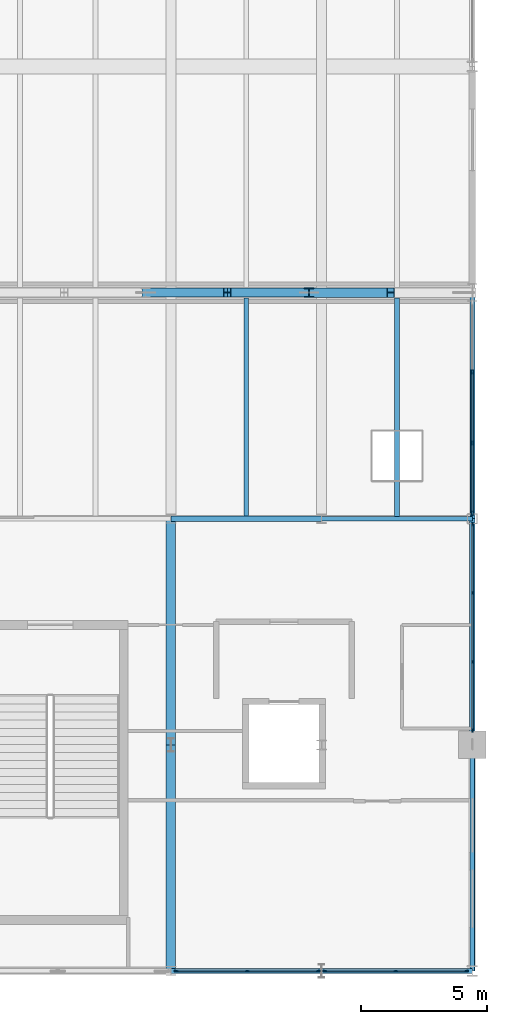
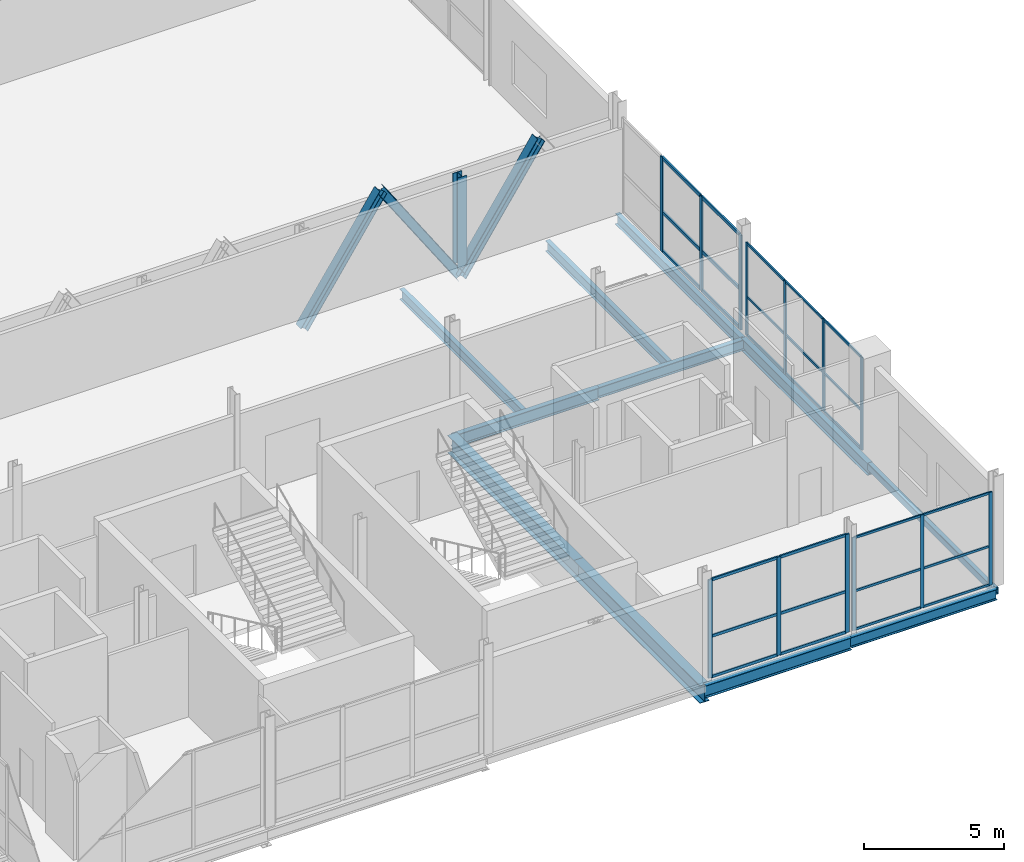
# One storey, part 139 of 224: 44 members, 11 beams, 4 elements without a shape of their own.
"""IFC4 building model written with IfcOpenShell, lengths in metres."""

from ifc_helpers import new_model, si_unit, direction, frame, origin, origin_2d, place, context, subcontext, project, spatial, rectangle, hollow_rectangle, i_section, extrude, material, layer, layer_set, material_profile, profile_set, type_object, element, aggregate, save


model = new_model("IFC4")

# Units and contexts
model_context = context("Model", 3, precision=1e-05, world=origin(), true_north=direction((0.0, 1.0)))
body_context = subcontext(model_context, "Body", "Model", "MODEL_VIEW")
ifc_project = project(units=[si_unit("LENGTHUNIT", "METRE"), si_unit("AREAUNIT", "SQUARE_METRE"), si_unit("VOLUMEUNIT", "CUBIC_METRE"), si_unit("PLANEANGLEUNIT", "RADIAN"), si_unit("MASSUNIT", "GRAM", prefix="KILO")], contexts=[model_context])

# Site, building, storey
site_placement = place(None, origin())
site = spatial("IfcSite", under=ifc_project, at=site_placement, CompositionType="ELEMENT")
building_placement = place(site_placement, origin())
building = spatial("IfcBuilding", under=site, at=building_placement, Name="Qamarlyn Nura Convention Centre", CompositionType="ELEMENT")
storey_placement = place(building_placement, frame((0.0, 0.0, 10.800048828125)))
storey = spatial("IfcBuildingStorey", under=building, at=storey_placement, Name="L02", CompositionType="ELEMENT", Elevation=10.800048828125)

# Beams
ifc_material_1 = material(Name="Steel ASTM A992", Category="steel")
ifc_material_profile_1 = material_profile(ifc_material_1, i_section(OverallWidth=0.381103515625, OverallDepth=0.77294921875, WebThickness=0.0166015625, FlangeThickness=0.027587890625, FilletRadius=0.02001953125, at=origin_2d()), Name="W760X257")
ifc_profile_set_1 = profile_set([ifc_material_profile_1], Name="Steel ASTM A992")
beam_type_1 = type_object("IfcBeamType", Name="BM-GIRD-760", PredefinedType="BEAM", material=ifc_profile_set_1)
for number, where, z_axis, x_axis, name in (
    (1, (180.0, 0.0, -0.6064453125), (0.0, 1.0, 0.0), (-1.0, 0.0, 0.0), "L02 girder 16 A-B"),
    (2, (180.0, 9.0, -0.6064453125), (0.0, 1.0, 0.0), (-1.0, 0.0, 0.0), "L02 girder 16 B-C"),
):
    element("IfcBeam", number, at=place(storey_placement, frame(where, z_axis=z_axis, x_axis=x_axis)), inside=storey, type_object=beam_type_1, Name=name, PredefinedType="BEAM", context=body_context, shape_type="SweptSolid", body=[
        extrude(i_section(OverallWidth=0.381103515625, OverallDepth=0.77294921875, WebThickness=0.0166015625, FlangeThickness=0.027587890625, FilletRadius=0.02001953125, at=origin_2d()), origin(), (0.0, 0.0, 1.0), 9.0),
    ])
ifc_material_profile_2 = material_profile(ifc_material_1, i_section(OverallWidth=0.18994140625, OverallDepth=0.45703125, WebThickness=0.009033203125, FlangeThickness=0.014404296875, FilletRadius=0.012939453125, at=origin_2d()), Name="W460X74")
ifc_profile_set_2 = profile_set([ifc_material_profile_2], Name="Steel ASTM A992")
beam_type_2 = type_object("IfcBeamType", Name="BM-JOIST-460", PredefinedType="JOIST", material=ifc_profile_set_2)
beam_1_placement = place(storey_placement, frame((183.0, 18.10546875, -0.488525390625), z_axis=(0.0, 1.0, 0.0), x_axis=(-1.0, 0.0, 0.0)))
element("IfcBeam", 3, at=beam_1_placement, inside=storey, type_object=beam_type_2, Name="L02 secondary joist 16-17/C-D-33", PredefinedType="JOIST", context=body_context, shape_type="SweptSolid", body=[
    extrude(i_section(OverallWidth=0.18994140625, OverallDepth=0.45703125, WebThickness=0.009033203125, FlangeThickness=0.014404296875, FilletRadius=0.012939453125, at=origin_2d()), origin(), (0.0, 0.0, 1.0), 8.685546875),
])
beam_2_placement = place(storey_placement, frame((189.0, 18.096435546875, -0.488525390625), z_axis=(0.0, 1.0, 0.0), x_axis=(-1.0, 0.0, 0.0)))
element("IfcBeam", 4, at=beam_2_placement, inside=storey, type_object=beam_type_2, Name="L02 secondary joist 17-18/C-D-37", PredefinedType="JOIST", context=body_context, shape_type="SweptSolid", body=[
    extrude(i_section(OverallWidth=0.18994140625, OverallDepth=0.45703125, WebThickness=0.009033203125, FlangeThickness=0.014404296875, FilletRadius=0.012939453125, at=origin_2d()), origin(), (0.0, 0.0, 1.0), 8.694580078125),
])
ifc_material_profile_3 = material_profile(ifc_material_1, i_section(OverallWidth=0.193115234375, OverallDepth=0.466064453125, WebThickness=0.011474609375, FlangeThickness=0.01904296875, FilletRadius=0.012939453125, at=origin_2d()), Name="W460X97")
ifc_profile_set_3 = profile_set([ifc_material_profile_3], Name="Steel ASTM A992")
beam_type_3 = type_object("IfcBeamType", Name="BM-SPAN-460", PredefinedType="SPANDREL", material=ifc_profile_set_3)
for number, where, z_axis, x_axis, name in (
    (5, (186.0, 0.0, -0.453125), (1.0, 0.0, 0.0), (0.0, 1.0, 0.0), "L02 girder A 17-18"),
    (6, (186.0, 18.0, -0.4931640625), (1.0, 0.0, 0.0), (0.0, 1.0, 0.0), "L02 girder C 17-18"),
):
    element("IfcBeam", number, at=place(storey_placement, frame(where, z_axis=z_axis, x_axis=x_axis)), inside=storey, type_object=beam_type_3, Name=name, PredefinedType="SPANDREL", context=body_context, shape_type="SweptSolid", body=[
        extrude(i_section(OverallWidth=0.193115234375, OverallDepth=0.466064453125, WebThickness=0.011474609375, FlangeThickness=0.01904296875, FilletRadius=0.012939453125, at=origin_2d()), origin(), (0.0, 0.0, 1.0), 6.0),
    ])
beam_3_placement = place(storey_placement, frame((192.0, 18.0, -0.4931640625), z_axis=(0.0, 1.0, 0.0), x_axis=(-1.0, 0.0, 0.0)))
element("IfcBeam", 7, at=beam_3_placement, inside=storey, type_object=beam_type_3, Name="L02 girder 18 C-D", PredefinedType="SPANDREL", context=body_context, shape_type="SweptSolid", body=[
    extrude(i_section(OverallWidth=0.193115234375, OverallDepth=0.466064453125, WebThickness=0.011474609375, FlangeThickness=0.01904296875, FilletRadius=0.012939453125, at=origin_2d()), origin(), (0.0, 0.0, 1.0), 9.0),
])
ifc_material_profile_4 = material_profile(ifc_material_1, i_section(OverallWidth=0.2109375, OverallDepth=0.5390625, WebThickness=0.01171875, FlangeThickness=0.018798828125, FilletRadius=0.013916015625, at=origin_2d()), Name="W530X109")
ifc_profile_set_4 = profile_set([ifc_material_profile_4], Name="Steel ASTM A992")
beam_type_4 = type_object("IfcBeamType", Name="BM-SPAN-530", PredefinedType="SPANDREL", material=ifc_profile_set_4)
for number, where, z_axis, x_axis, name in (
    (8, (180.0, 0.0, -0.489501953125), (1.0, 0.0, 0.0), (0.0, 1.0, 0.0), "L02 girder A 16-17"),
    (9, (180.0, 18.0, -0.529541015625), (1.0, 0.0, 0.0), (0.0, 1.0, 0.0), "L02 girder C 16-17"),
):
    element("IfcBeam", number, at=place(storey_placement, frame(where, z_axis=z_axis, x_axis=x_axis)), inside=storey, type_object=beam_type_4, Name=name, PredefinedType="SPANDREL", context=body_context, shape_type="SweptSolid", body=[
        extrude(i_section(OverallWidth=0.2109375, OverallDepth=0.5390625, WebThickness=0.01171875, FlangeThickness=0.018798828125, FilletRadius=0.013916015625, at=origin_2d()), origin(), (0.0, 0.0, 1.0), 6.0),
    ])
beam_4_placement = place(storey_placement, frame((192.0, 9.0, -0.489501953125), z_axis=(0.0, 1.0, 0.0), x_axis=(-1.0, 0.0, 0.0)))
element("IfcBeam", 10, at=beam_4_placement, inside=storey, type_object=beam_type_4, Name="L02 girder 18 B-C", PredefinedType="SPANDREL", context=body_context, shape_type="SweptSolid", body=[
    extrude(i_section(OverallWidth=0.2109375, OverallDepth=0.5390625, WebThickness=0.01171875, FlangeThickness=0.018798828125, FilletRadius=0.013916015625, at=origin_2d()), origin(), (0.0, 0.0, 1.0), 9.0),
])
ifc_material_2 = material(Name="Steel ASTM A500 Grade C", Category="steel")
ifc_material_profile_5 = material_profile(ifc_material_2, hollow_rectangle(XDim=0.199951171875, YDim=0.300048828125, WallThickness=0.012451171875, InnerFilletRadius=0.012451171875, OuterFilletRadius=0.02490234375, at=origin_2d()), Name="HSS300X200X12.5")
ifc_profile_set_5 = profile_set([ifc_material_profile_5], Name="Steel ASTM A500 Grade C")
beam_type_5 = type_object("IfcBeamType", Name="BM-SPAN-HSS", PredefinedType="SPANDREL", material=ifc_profile_set_5)
beam_5_placement = place(storey_placement, frame((192.0, 0.0, -0.3701171875), z_axis=(0.0, 1.0, 0.0), x_axis=(-1.0, 0.0, 0.0)))
element("IfcBeam", 11, at=beam_5_placement, inside=storey, type_object=beam_type_5, Name="L02 girder 18 A-B", PredefinedType="SPANDREL", context=body_context, shape_type="SweptSolid", body=[
    extrude(hollow_rectangle(XDim=0.199951171875, YDim=0.300048828125, WallThickness=0.012451171875, InnerFilletRadius=0.012451171875, OuterFilletRadius=0.02490234375, at=origin_2d()), origin(), (0.0, 0.0, 1.0), 9.0),
])

# Curtain wall, members
ifc_material_3 = material(Name="Double-silver low-E insulated glass", Category="glass")
ifc_layer_1 = layer(ifc_material_3, 0.179931640625, Name="CW-UNIT-92")
ifc_layer_set_1 = layer_set([ifc_layer_1], Name="Double-silver low-E insulated glass")
curtain_wall_type_1 = type_object("IfcCurtainWallType", Name="CW-UNIT-92", PredefinedType="NOTDEFINED", material=ifc_layer_set_1)
curtain_wall_1_placement = place(storey_placement, origin())
curtain_wall_1 = element("IfcCurtainWall", 12, at=curtain_wall_1_placement, inside=storey, type_object=curtain_wall_type_1, Name="L02 unitised curtain wall EAST-2-1", PredefinedType="NOTDEFINED")
ifc_material_4 = material(Name="Champagne-anodised marine aluminium", Category="aluminium")
ifc_material_profile_6 = material_profile(ifc_material_4, rectangle(XDim=0.06005859375, YDim=0.139892578125, at=origin_2d()), Name="ALU MULLION 60x140")
ifc_profile_set_6 = profile_set([ifc_material_profile_6], Name="Champagne-anodised marine aluminium")
member_type_1 = type_object("IfcMemberType", Name="CWM-140", PredefinedType="MULLION", material=ifc_profile_set_6)
member_1_placement = place(storey_placement, frame((192.0, 17.77001953125, 0.0), z_axis=(0.0, 0.0, 1.0), x_axis=(1.0, 0.0, 0.0)))
member_1 = element("IfcMember", 13, at=member_1_placement, type_object=member_type_1, Name="CW92 mullion 1", PredefinedType="MULLION", context=body_context, shape_type="SweptSolid", body=[
    extrude(rectangle(XDim=0.06005859375, YDim=0.139892578125, at=origin_2d()), origin(), (0.0, 0.0, 1.0), 4.0458984375),
])
member_2_placement = place(storey_placement, frame((192.0, 15.050048828125, 0.0), z_axis=(0.0, 0.0, 1.0), x_axis=(1.0, 0.0, 0.0)))
member_2 = element("IfcMember", 14, at=member_2_placement, type_object=member_type_1, Name="CW92 mullion 2", PredefinedType="MULLION", context=body_context, shape_type="SweptSolid", body=[
    extrude(rectangle(XDim=0.06005859375, YDim=0.139892578125, at=origin_2d()), origin(), (0.0, 0.0, 1.0), 4.0458984375),
])
member_3_placement = place(storey_placement, frame((192.0, 12.300048828125, 0.0), z_axis=(0.0, 0.0, 1.0), x_axis=(1.0, 0.0, 0.0)))
member_3 = element("IfcMember", 15, at=member_3_placement, type_object=member_type_1, Name="CW92 mullion 3", PredefinedType="MULLION", context=body_context, shape_type="SweptSolid", body=[
    extrude(rectangle(XDim=0.06005859375, YDim=0.139892578125, at=origin_2d()), origin(), (0.0, 0.0, 1.0), 4.0458984375),
])
member_4_placement = place(storey_placement, frame((192.0, 9.580078125, 0.0), z_axis=(0.0, 0.0, 1.0), x_axis=(1.0, 0.0, 0.0)))
member_4 = element("IfcMember", 16, at=member_4_placement, type_object=member_type_1, Name="CW92 mullion 4", PredefinedType="MULLION", context=body_context, shape_type="SweptSolid", body=[
    extrude(rectangle(XDim=0.06005859375, YDim=0.139892578125, at=origin_2d()), origin(), (0.0, 0.0, 1.0), 4.0458984375),
])

ifc_layer_2 = layer(ifc_material_3, 0.179931640625, Name="CW-UNIT-99")
ifc_layer_set_2 = layer_set([ifc_layer_2], Name="Double-silver low-E insulated glass")
curtain_wall_type_2 = type_object("IfcCurtainWallType", Name="CW-UNIT-99", PredefinedType="NOTDEFINED", material=ifc_layer_set_2)
curtain_wall_2_placement = place(storey_placement, origin())
curtain_wall_2 = element("IfcCurtainWall", 17, at=curtain_wall_2_placement, inside=storey, type_object=curtain_wall_type_2, Name="L02 unitised curtain wall STH-5-1", PredefinedType="NOTDEFINED")
member_5_placement = place(storey_placement, frame((191.765380859375, 0.0, 0.0), z_axis=(0.0, 0.0, 1.0), x_axis=(0.0, -1.0, 0.0)))
member_5 = element("IfcMember", 18, at=member_5_placement, type_object=member_type_1, Name="CW99 mullion 1", PredefinedType="MULLION", context=body_context, shape_type="SweptSolid", body=[
    extrude(rectangle(XDim=0.06005859375, YDim=0.139892578125, at=origin_2d()), origin(), (0.0, 0.0, 1.0), 4.0458984375),
])
member_6_placement = place(storey_placement, frame((188.950439453125, 0.0, 0.0), z_axis=(0.0, 0.0, 1.0), x_axis=(0.0, -1.0, 0.0)))
member_6 = element("IfcMember", 19, at=member_6_placement, type_object=member_type_1, Name="CW99 mullion 2", PredefinedType="MULLION", context=body_context, shape_type="SweptSolid", body=[
    extrude(rectangle(XDim=0.06005859375, YDim=0.139892578125, at=origin_2d()), origin(), (0.0, 0.0, 1.0), 4.0458984375),
])
member_7_placement = place(storey_placement, frame((186.135498046875, 0.0, 0.0), z_axis=(0.0, 0.0, 1.0), x_axis=(0.0, -1.0, 0.0)))
member_7 = element("IfcMember", 20, at=member_7_placement, type_object=member_type_1, Name="CW99 mullion 3", PredefinedType="MULLION", context=body_context, shape_type="SweptSolid", body=[
    extrude(rectangle(XDim=0.06005859375, YDim=0.139892578125, at=origin_2d()), origin(), (0.0, 0.0, 1.0), 4.0458984375),
])

ifc_layer_3 = layer(ifc_material_3, 0.179931640625, Name="CW-UNIT-98")
ifc_layer_set_3 = layer_set([ifc_layer_3], Name="Double-silver low-E insulated glass")
curtain_wall_type_3 = type_object("IfcCurtainWallType", Name="CW-UNIT-98", PredefinedType="NOTDEFINED", material=ifc_layer_set_3)
curtain_wall_3_placement = place(storey_placement, origin())
curtain_wall_3 = element("IfcCurtainWall", 21, at=curtain_wall_3_placement, inside=storey, type_object=curtain_wall_type_3, Name="L02 unitised curtain wall STH-4-1", PredefinedType="NOTDEFINED")
ifc_material_profile_7 = material_profile(ifc_material_4, rectangle(XDim=0.06494140625, YDim=0.159912109375, at=origin_2d()), Name="ALU MULLION 65x160")
ifc_profile_set_7 = profile_set([ifc_material_profile_7], Name="Champagne-anodised marine aluminium")
member_type_2 = type_object("IfcMemberType", Name="CWM-160", PredefinedType="MULLION", material=ifc_profile_set_7)
member_8_placement = place(storey_placement, frame((185.862060546875, 0.0, 0.0), z_axis=(0.0, 0.0, 1.0), x_axis=(0.0, -1.0, 0.0)))
member_8 = element("IfcMember", 22, at=member_8_placement, type_object=member_type_2, Name="CW98 mullion 1", PredefinedType="MULLION", context=body_context, shape_type="SweptSolid", body=[
    extrude(rectangle(XDim=0.06494140625, YDim=0.159912109375, at=origin_2d()), origin(), (0.0, 0.0, 1.0), 4.284912109375),
])
member_9_placement = place(storey_placement, frame((183.03955078125, 0.0, 0.0), z_axis=(0.0, 0.0, 1.0), x_axis=(0.0, -1.0, 0.0)))
member_9 = element("IfcMember", 23, at=member_9_placement, type_object=member_type_2, Name="CW98 mullion 2", PredefinedType="MULLION", context=body_context, shape_type="SweptSolid", body=[
    extrude(rectangle(XDim=0.06494140625, YDim=0.159912109375, at=origin_2d()), origin(), (0.0, 0.0, 1.0), 4.284912109375),
])
member_10_placement = place(storey_placement, frame((180.217041015625, 0.0, 0.0), z_axis=(0.0, 0.0, 1.0), x_axis=(0.0, -1.0, 0.0)))
member_10 = element("IfcMember", 24, at=member_10_placement, type_object=member_type_2, Name="CW98 mullion 3", PredefinedType="MULLION", context=body_context, shape_type="SweptSolid", body=[
    extrude(rectangle(XDim=0.06494140625, YDim=0.159912109375, at=origin_2d()), origin(), (0.0, 0.0, 1.0), 4.284912109375),
])

ifc_layer_4 = layer(ifc_material_3, 0.179931640625, Name="CW-UNIT-93")
ifc_layer_set_4 = layer_set([ifc_layer_4], Name="Double-silver low-E insulated glass")
curtain_wall_type_4 = type_object("IfcCurtainWallType", Name="CW-UNIT-93", PredefinedType="NOTDEFINED", material=ifc_layer_set_4)
curtain_wall_4_placement = place(storey_placement, origin())
curtain_wall_4 = element("IfcCurtainWall", 25, at=curtain_wall_4_placement, inside=storey, type_object=curtain_wall_type_4, Name="L02 unitised curtain wall EAST-3-1", PredefinedType="NOTDEFINED")
ifc_material_profile_8 = material_profile(ifc_material_4, rectangle(XDim=0.070068359375, YDim=0.179931640625, at=origin_2d()), Name="ALU MULLION 70x180")
ifc_profile_set_8 = profile_set([ifc_material_profile_8], Name="Champagne-anodised marine aluminium")
member_type_3 = type_object("IfcMemberType", Name="CWM-180", PredefinedType="MULLION", material=ifc_profile_set_8)
member_11_placement = place(storey_placement, frame((192.0, 23.8349609375, 0.0), z_axis=(0.0, 0.0, 1.0), x_axis=(1.0, 0.0, 0.0)))
member_11 = element("IfcMember", 26, at=member_11_placement, type_object=member_type_3, Name="CW93 mullion 2", PredefinedType="MULLION", context=body_context, shape_type="SweptSolid", body=[
    extrude(rectangle(XDim=0.070068359375, YDim=0.179931640625, at=origin_2d()), origin(), (0.0, 0.0, 1.0), 4.118896484375),
])
member_12_placement = place(storey_placement, frame((192.0, 21.017578125, 0.0), z_axis=(0.0, 0.0, 1.0), x_axis=(1.0, 0.0, 0.0)))
member_12 = element("IfcMember", 27, at=member_12_placement, type_object=member_type_3, Name="CW93 mullion 3", PredefinedType="MULLION", context=body_context, shape_type="SweptSolid", body=[
    extrude(rectangle(XDim=0.070068359375, YDim=0.179931640625, at=origin_2d()), origin(), (0.0, 0.0, 1.0), 4.118896484375),
])
member_13_placement = place(storey_placement, frame((192.0, 18.235107421875, 0.0), z_axis=(0.0, 0.0, 1.0), x_axis=(1.0, 0.0, 0.0)))
member_13 = element("IfcMember", 28, at=member_13_placement, type_object=member_type_3, Name="CW93 mullion 4", PredefinedType="MULLION", context=body_context, shape_type="SweptSolid", body=[
    extrude(rectangle(XDim=0.070068359375, YDim=0.179931640625, at=origin_2d()), origin(), (0.0, 0.0, 1.0), 4.118896484375),
])

# Member
ifc_material_profile_9 = material_profile(ifc_material_4, rectangle(XDim=0.06005859375, YDim=0.10009765625, at=origin_2d()), Name="ALU TRANSOM 60x100")
ifc_profile_set_9 = profile_set([ifc_material_profile_9], Name="Champagne-anodised marine aluminium")
member_type_4 = type_object("IfcMemberType", Name="CWT-100", PredefinedType="USERDEFINED", material=ifc_profile_set_9)
member_14_placement = place(storey_placement, frame((192.0, 17.739990234375, 0.030029296875), z_axis=(0.0, -1.0, 0.0), x_axis=(1.0, 0.0, 0.0)))
member_14 = element("IfcMember", 29, at=member_14_placement, type_object=member_type_4, Name="CW92 transom 1.1", ObjectType="TRANSOM", PredefinedType="USERDEFINED", context=body_context, shape_type="SweptSolid", body=[
    extrude(rectangle(XDim=0.06005859375, YDim=0.10009765625, at=origin_2d()), origin(), (0.0, 0.0, 1.0), 2.659912109375),
])

member_15_placement = place(storey_placement, frame((192.0, 17.739990234375, 1.698974609375), z_axis=(0.0, -1.0, 0.0), x_axis=(1.0, 0.0, 0.0)))
member_15 = element("IfcMember", 30, at=member_15_placement, type_object=member_type_4, Name="CW92 transom 1.2", ObjectType="TRANSOM", PredefinedType="USERDEFINED", context=body_context, shape_type="SweptSolid", body=[
    extrude(rectangle(XDim=0.06005859375, YDim=0.10009765625, at=origin_2d()), origin(), (0.0, 0.0, 1.0), 2.659912109375),
])

member_16_placement = place(storey_placement, frame((192.0, 17.739990234375, 4.015869140625), z_axis=(0.0, -1.0, 0.0), x_axis=(1.0, 0.0, 0.0)))
member_16 = element("IfcMember", 31, at=member_16_placement, type_object=member_type_4, Name="CW92 transom 1.3", ObjectType="TRANSOM", PredefinedType="USERDEFINED", context=body_context, shape_type="SweptSolid", body=[
    extrude(rectangle(XDim=0.06005859375, YDim=0.10009765625, at=origin_2d()), origin(), (0.0, 0.0, 1.0), 2.659912109375),
])

member_17_placement = place(storey_placement, frame((192.0, 15.02001953125, 0.030029296875), z_axis=(0.0, -1.0, 0.0), x_axis=(1.0, 0.0, 0.0)))
member_17 = element("IfcMember", 32, at=member_17_placement, type_object=member_type_4, Name="CW92 transom 2.1", ObjectType="TRANSOM", PredefinedType="USERDEFINED", context=body_context, shape_type="SweptSolid", body=[
    extrude(rectangle(XDim=0.06005859375, YDim=0.10009765625, at=origin_2d()), origin(), (0.0, 0.0, 1.0), 2.68994140625),
])

member_18_placement = place(storey_placement, frame((192.0, 15.02001953125, 1.698974609375), z_axis=(0.0, -1.0, 0.0), x_axis=(1.0, 0.0, 0.0)))
member_18 = element("IfcMember", 33, at=member_18_placement, type_object=member_type_4, Name="CW92 transom 2.2", ObjectType="TRANSOM", PredefinedType="USERDEFINED", context=body_context, shape_type="SweptSolid", body=[
    extrude(rectangle(XDim=0.06005859375, YDim=0.10009765625, at=origin_2d()), origin(), (0.0, 0.0, 1.0), 2.68994140625),
])

member_19_placement = place(storey_placement, frame((192.0, 15.02001953125, 4.015869140625), z_axis=(0.0, -1.0, 0.0), x_axis=(1.0, 0.0, 0.0)))
member_19 = element("IfcMember", 34, at=member_19_placement, type_object=member_type_4, Name="CW92 transom 2.3", ObjectType="TRANSOM", PredefinedType="USERDEFINED", context=body_context, shape_type="SweptSolid", body=[
    extrude(rectangle(XDim=0.06005859375, YDim=0.10009765625, at=origin_2d()), origin(), (0.0, 0.0, 1.0), 2.68994140625),
])

member_20_placement = place(storey_placement, frame((192.0, 12.27001953125, 0.030029296875), z_axis=(0.0, -1.0, 0.0), x_axis=(1.0, 0.0, 0.0)))
member_20 = element("IfcMember", 35, at=member_20_placement, type_object=member_type_4, Name="CW92 transom 3.1", ObjectType="TRANSOM", PredefinedType="USERDEFINED", context=body_context, shape_type="SweptSolid", body=[
    extrude(rectangle(XDim=0.06005859375, YDim=0.10009765625, at=origin_2d()), origin(), (0.0, 0.0, 1.0), 2.659912109375),
])

member_21_placement = place(storey_placement, frame((192.0, 12.27001953125, 1.698974609375), z_axis=(0.0, -1.0, 0.0), x_axis=(1.0, 0.0, 0.0)))
member_21 = element("IfcMember", 36, at=member_21_placement, type_object=member_type_4, Name="CW92 transom 3.2", ObjectType="TRANSOM", PredefinedType="USERDEFINED", context=body_context, shape_type="SweptSolid", body=[
    extrude(rectangle(XDim=0.06005859375, YDim=0.10009765625, at=origin_2d()), origin(), (0.0, 0.0, 1.0), 2.659912109375),
])

member_22_placement = place(storey_placement, frame((192.0, 12.27001953125, 4.015869140625), z_axis=(0.0, -1.0, 0.0), x_axis=(1.0, 0.0, 0.0)))
member_22 = element("IfcMember", 37, at=member_22_placement, type_object=member_type_4, Name="CW92 transom 3.3", ObjectType="TRANSOM", PredefinedType="USERDEFINED", context=body_context, shape_type="SweptSolid", body=[
    extrude(rectangle(XDim=0.06005859375, YDim=0.10009765625, at=origin_2d()), origin(), (0.0, 0.0, 1.0), 2.659912109375),
])

aggregate(curtain_wall_1, [member_1, member_2, member_3, member_4, member_14, member_15, member_16, member_17, member_18, member_19, member_20, member_21, member_22])

member_23_placement = place(storey_placement, frame((191.735595703125, 0.0, 0.030029296875), z_axis=(-1.0, 0.0, 0.0), x_axis=(0.0, -1.0, 0.0)))
member_23 = element("IfcMember", 38, at=member_23_placement, type_object=member_type_4, Name="CW99 transom 1.1", ObjectType="TRANSOM", PredefinedType="USERDEFINED", context=body_context, shape_type="SweptSolid", body=[
    extrude(rectangle(XDim=0.06005859375, YDim=0.10009765625, at=origin_2d()), origin(), (0.0, 0.0, 1.0), 2.755126953125),
])

member_24_placement = place(storey_placement, frame((191.735595703125, 0.0, 1.698974609375), z_axis=(-1.0, 0.0, 0.0), x_axis=(0.0, -1.0, 0.0)))
member_24 = element("IfcMember", 39, at=member_24_placement, type_object=member_type_4, Name="CW99 transom 1.2", ObjectType="TRANSOM", PredefinedType="USERDEFINED", context=body_context, shape_type="SweptSolid", body=[
    extrude(rectangle(XDim=0.06005859375, YDim=0.10009765625, at=origin_2d()), origin(), (0.0, 0.0, 1.0), 2.755126953125),
])

member_25_placement = place(storey_placement, frame((191.735595703125, 0.0, 4.015869140625), z_axis=(-1.0, 0.0, 0.0), x_axis=(0.0, -1.0, 0.0)))
member_25 = element("IfcMember", 40, at=member_25_placement, type_object=member_type_4, Name="CW99 transom 1.3", ObjectType="TRANSOM", PredefinedType="USERDEFINED", context=body_context, shape_type="SweptSolid", body=[
    extrude(rectangle(XDim=0.06005859375, YDim=0.10009765625, at=origin_2d()), origin(), (0.0, 0.0, 1.0), 2.755126953125),
])

member_26_placement = place(storey_placement, frame((188.92041015625, 0.0, 0.030029296875), z_axis=(-1.0, 0.0, 0.0), x_axis=(0.0, -1.0, 0.0)))
member_26 = element("IfcMember", 41, at=member_26_placement, type_object=member_type_4, Name="CW99 transom 2.1", ObjectType="TRANSOM", PredefinedType="USERDEFINED", context=body_context, shape_type="SweptSolid", body=[
    extrude(rectangle(XDim=0.06005859375, YDim=0.10009765625, at=origin_2d()), origin(), (0.0, 0.0, 1.0), 2.7548828125),
])

member_27_placement = place(storey_placement, frame((188.92041015625, 0.0, 1.698974609375), z_axis=(-1.0, 0.0, 0.0), x_axis=(0.0, -1.0, 0.0)))
member_27 = element("IfcMember", 42, at=member_27_placement, type_object=member_type_4, Name="CW99 transom 2.2", ObjectType="TRANSOM", PredefinedType="USERDEFINED", context=body_context, shape_type="SweptSolid", body=[
    extrude(rectangle(XDim=0.06005859375, YDim=0.10009765625, at=origin_2d()), origin(), (0.0, 0.0, 1.0), 2.7548828125),
])

member_28_placement = place(storey_placement, frame((188.92041015625, 0.0, 4.015869140625), z_axis=(-1.0, 0.0, 0.0), x_axis=(0.0, -1.0, 0.0)))
member_28 = element("IfcMember", 43, at=member_28_placement, type_object=member_type_4, Name="CW99 transom 2.3", ObjectType="TRANSOM", PredefinedType="USERDEFINED", context=body_context, shape_type="SweptSolid", body=[
    extrude(rectangle(XDim=0.06005859375, YDim=0.10009765625, at=origin_2d()), origin(), (0.0, 0.0, 1.0), 2.7548828125),
])

aggregate(curtain_wall_2, [member_5, member_6, member_7, member_23, member_24, member_25, member_26, member_27, member_28])

ifc_material_profile_10 = material_profile(ifc_material_4, rectangle(XDim=0.06494140625, YDim=0.1201171875, at=origin_2d()), Name="ALU TRANSOM 65x120")
ifc_profile_set_10 = profile_set([ifc_material_profile_10], Name="Champagne-anodised marine aluminium")
member_type_5 = type_object("IfcMemberType", Name="CWT-120", PredefinedType="USERDEFINED", material=ifc_profile_set_10)
member_29_placement = place(storey_placement, frame((185.82958984375, 0.0, 0.032470703125), z_axis=(-1.0, 0.0, 0.0), x_axis=(0.0, -1.0, 0.0)))
member_29 = element("IfcMember", 44, at=member_29_placement, type_object=member_type_5, Name="CW98 transom 1.1", ObjectType="TRANSOM", PredefinedType="USERDEFINED", context=body_context, shape_type="SweptSolid", body=[
    extrude(rectangle(XDim=0.06494140625, YDim=0.1201171875, at=origin_2d()), origin(), (0.0, 0.0, 1.0), 2.757568359375),
])

member_30_placement = place(storey_placement, frame((185.82958984375, 0.0, 1.800048828125), z_axis=(-1.0, 0.0, 0.0), x_axis=(0.0, -1.0, 0.0)))
member_30 = element("IfcMember", 45, at=member_30_placement, type_object=member_type_5, Name="CW98 transom 1.2", ObjectType="TRANSOM", PredefinedType="USERDEFINED", context=body_context, shape_type="SweptSolid", body=[
    extrude(rectangle(XDim=0.06494140625, YDim=0.1201171875, at=origin_2d()), origin(), (0.0, 0.0, 1.0), 2.757568359375),
])

member_31_placement = place(storey_placement, frame((185.82958984375, 0.0, 4.25244140625), z_axis=(-1.0, 0.0, 0.0), x_axis=(0.0, -1.0, 0.0)))
member_31 = element("IfcMember", 46, at=member_31_placement, type_object=member_type_5, Name="CW98 transom 1.3", ObjectType="TRANSOM", PredefinedType="USERDEFINED", context=body_context, shape_type="SweptSolid", body=[
    extrude(rectangle(XDim=0.06494140625, YDim=0.1201171875, at=origin_2d()), origin(), (0.0, 0.0, 1.0), 2.757568359375),
])

member_32_placement = place(storey_placement, frame((183.007080078125, 0.0, 0.032470703125), z_axis=(-1.0, 0.0, 0.0), x_axis=(0.0, -1.0, 0.0)))
member_32 = element("IfcMember", 47, at=member_32_placement, type_object=member_type_5, Name="CW98 transom 2.1", ObjectType="TRANSOM", PredefinedType="USERDEFINED", context=body_context, shape_type="SweptSolid", body=[
    extrude(rectangle(XDim=0.06494140625, YDim=0.1201171875, at=origin_2d()), origin(), (0.0, 0.0, 1.0), 2.757568359375),
])

member_33_placement = place(storey_placement, frame((183.007080078125, 0.0, 1.800048828125), z_axis=(-1.0, 0.0, 0.0), x_axis=(0.0, -1.0, 0.0)))
member_33 = element("IfcMember", 48, at=member_33_placement, type_object=member_type_5, Name="CW98 transom 2.2", ObjectType="TRANSOM", PredefinedType="USERDEFINED", context=body_context, shape_type="SweptSolid", body=[
    extrude(rectangle(XDim=0.06494140625, YDim=0.1201171875, at=origin_2d()), origin(), (0.0, 0.0, 1.0), 2.757568359375),
])

member_34_placement = place(storey_placement, frame((183.007080078125, 0.0, 4.25244140625), z_axis=(-1.0, 0.0, 0.0), x_axis=(0.0, -1.0, 0.0)))
member_34 = element("IfcMember", 49, at=member_34_placement, type_object=member_type_5, Name="CW98 transom 2.3", ObjectType="TRANSOM", PredefinedType="USERDEFINED", context=body_context, shape_type="SweptSolid", body=[
    extrude(rectangle(XDim=0.06494140625, YDim=0.1201171875, at=origin_2d()), origin(), (0.0, 0.0, 1.0), 2.757568359375),
])

aggregate(curtain_wall_3, [member_8, member_9, member_10, member_29, member_30, member_31, member_32, member_33, member_34])

ifc_material_profile_11 = material_profile(ifc_material_4, rectangle(XDim=0.070068359375, YDim=0.139892578125, at=origin_2d()), Name="ALU TRANSOM 70x140")
ifc_profile_set_11 = profile_set([ifc_material_profile_11], Name="Champagne-anodised marine aluminium")
member_type_6 = type_object("IfcMemberType", Name="CWT-140", PredefinedType="USERDEFINED", material=ifc_profile_set_11)
member_35_placement = place(storey_placement, frame((192.0, 23.800048828125, 0.034912109375), z_axis=(0.0, -1.0, 0.0), x_axis=(1.0, 0.0, 0.0)))
member_35 = element("IfcMember", 50, at=member_35_placement, type_object=member_type_6, Name="CW93 transom 2.1", ObjectType="TRANSOM", PredefinedType="USERDEFINED", context=body_context, shape_type="SweptSolid", body=[
    extrude(rectangle(XDim=0.070068359375, YDim=0.139892578125, at=origin_2d()), origin(), (0.0, 0.0, 1.0), 2.74755859375),
])

member_36_placement = place(storey_placement, frame((192.0, 23.800048828125, 1.72998046875), z_axis=(0.0, -1.0, 0.0), x_axis=(1.0, 0.0, 0.0)))
member_36 = element("IfcMember", 51, at=member_36_placement, type_object=member_type_6, Name="CW93 transom 2.2", ObjectType="TRANSOM", PredefinedType="USERDEFINED", context=body_context, shape_type="SweptSolid", body=[
    extrude(rectangle(XDim=0.070068359375, YDim=0.139892578125, at=origin_2d()), origin(), (0.0, 0.0, 1.0), 2.74755859375),
])

member_37_placement = place(storey_placement, frame((192.0, 23.800048828125, 4.083984375), z_axis=(0.0, -1.0, 0.0), x_axis=(1.0, 0.0, 0.0)))
member_37 = element("IfcMember", 52, at=member_37_placement, type_object=member_type_6, Name="CW93 transom 2.3", ObjectType="TRANSOM", PredefinedType="USERDEFINED", context=body_context, shape_type="SweptSolid", body=[
    extrude(rectangle(XDim=0.070068359375, YDim=0.139892578125, at=origin_2d()), origin(), (0.0, 0.0, 1.0), 2.74755859375),
])

member_38_placement = place(storey_placement, frame((192.0, 20.982421875, 0.034912109375), z_axis=(0.0, -1.0, 0.0), x_axis=(1.0, 0.0, 0.0)))
member_38 = element("IfcMember", 53, at=member_38_placement, type_object=member_type_6, Name="CW93 transom 3.1", ObjectType="TRANSOM", PredefinedType="USERDEFINED", context=body_context, shape_type="SweptSolid", body=[
    extrude(rectangle(XDim=0.070068359375, YDim=0.139892578125, at=origin_2d()), origin(), (0.0, 0.0, 1.0), 2.71240234375),
])

member_39_placement = place(storey_placement, frame((192.0, 20.982421875, 1.72998046875), z_axis=(0.0, -1.0, 0.0), x_axis=(1.0, 0.0, 0.0)))
member_39 = element("IfcMember", 54, at=member_39_placement, type_object=member_type_6, Name="CW93 transom 3.2", ObjectType="TRANSOM", PredefinedType="USERDEFINED", context=body_context, shape_type="SweptSolid", body=[
    extrude(rectangle(XDim=0.070068359375, YDim=0.139892578125, at=origin_2d()), origin(), (0.0, 0.0, 1.0), 2.71240234375),
])

member_40_placement = place(storey_placement, frame((192.0, 20.982421875, 4.083984375), z_axis=(0.0, -1.0, 0.0), x_axis=(1.0, 0.0, 0.0)))
member_40 = element("IfcMember", 55, at=member_40_placement, type_object=member_type_6, Name="CW93 transom 3.3", ObjectType="TRANSOM", PredefinedType="USERDEFINED", context=body_context, shape_type="SweptSolid", body=[
    extrude(rectangle(XDim=0.070068359375, YDim=0.139892578125, at=origin_2d()), origin(), (0.0, 0.0, 1.0), 2.71240234375),
])

aggregate(curtain_wall_4, [member_11, member_12, member_13, member_35, member_36, member_37, member_38, member_39, member_40])

# Members
ifc_material_profile_12 = material_profile(ifc_material_1, i_section(OverallWidth=0.3740234375, OverallDepth=0.3720703125, WebThickness=0.016357421875, FlangeThickness=0.026123046875, FilletRadius=0.01611328125, at=origin_2d()), Name="W360X196")
ifc_profile_set_12 = profile_set([ifc_material_profile_12], Name="Steel ASTM A992")
member_type_7 = type_object("IfcMemberType", Name="TT-DIAG-01", PredefinedType="BRACE", material=ifc_profile_set_12)
member_41_placement = place(storey_placement, frame((185.5, 27.0, -0.716064453125), z_axis=(0.555875275564, 0.0, 0.831265708433), x_axis=(0.0, 1.0, 0.0)))
element("IfcMember", 56, at=member_41_placement, inside=storey, type_object=member_type_7, Name="Warren transfer structure diagonal D-6A", PredefinedType="BRACE", context=body_context, shape_type="SweptSolid", body=[
    extrude(i_section(OverallWidth=0.3740234375, OverallDepth=0.3720703125, WebThickness=0.016357421875, FlangeThickness=0.026123046875, FilletRadius=0.01611328125, at=origin_2d()), origin(), (0.0, 0.0, 1.0), 5.8466796875),
])
ifc_material_profile_13 = material_profile(ifc_material_1, i_section(OverallWidth=0.368896484375, OverallDepth=0.35595703125, WebThickness=0.01123046875, FlangeThickness=0.01806640625, FilletRadius=0.014892578125, at=origin_2d()), Name="W360X134")
ifc_profile_set_13 = profile_set([ifc_material_profile_13], Name="Steel ASTM A992")
member_type_8 = type_object("IfcMemberType", Name="TT-DIAG-02", PredefinedType="BRACE", material=ifc_profile_set_13)
for number, where, z_axis, x_axis, name in (
    (57, (179.0, 27.0, -0.716064453125), (0.555875275564, 0.0, 0.831265708433), (0.0, 1.0, 0.0), "Warren transfer structure diagonal D-5A"),
    (58, (182.25, 27.0, 4.14404296875), (0.555875275564, 0.0, -0.831265708433), (0.0, 1.0, 0.0), "Warren transfer structure diagonal D-5B"),
):
    element("IfcMember", number, at=place(storey_placement, frame(where, z_axis=z_axis, x_axis=x_axis)), inside=storey, type_object=member_type_8, Name=name, PredefinedType="BRACE", context=body_context, shape_type="SweptSolid", body=[
        extrude(i_section(OverallWidth=0.368896484375, OverallDepth=0.35595703125, WebThickness=0.01123046875, FlangeThickness=0.01806640625, FilletRadius=0.014892578125, at=origin_2d()), origin(), (0.0, 0.0, 1.0), 5.8466796875),
    ])
ifc_material_profile_14 = material_profile(ifc_material_1, i_section(OverallWidth=0.3740234375, OverallDepth=0.3720703125, WebThickness=0.016357421875, FlangeThickness=0.026123046875, FilletRadius=0.01611328125, at=origin_2d()), Name="W360X196")
ifc_profile_set_14 = profile_set([ifc_material_profile_14], Name="Steel ASTM A992")
member_type_9 = type_object("IfcMemberType", Name="TT-VERT-01", PredefinedType="BRACE", material=ifc_profile_set_14)
member_42_placement = place(storey_placement, frame((185.5, 27.0, -0.260009765625), z_axis=(0.0, 0.0, 1.0), x_axis=(1.0, 0.0, 0.0)))
element("IfcMember", 59, at=member_42_placement, inside=storey, type_object=member_type_9, Name="Warren transfer truss vertical hanger D-5", PredefinedType="BRACE", context=body_context, shape_type="SweptSolid", body=[
    extrude(i_section(OverallWidth=0.3740234375, OverallDepth=0.3720703125, WebThickness=0.016357421875, FlangeThickness=0.026123046875, FilletRadius=0.01611328125, at=origin_2d()), origin(), (0.0, 0.0, 1.0), 3.947998046875),
])

save(model, "model.ifc")
